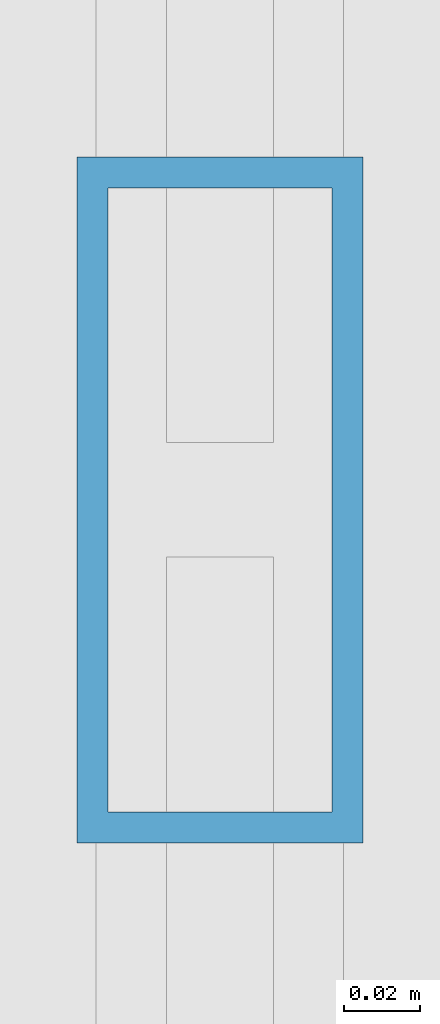
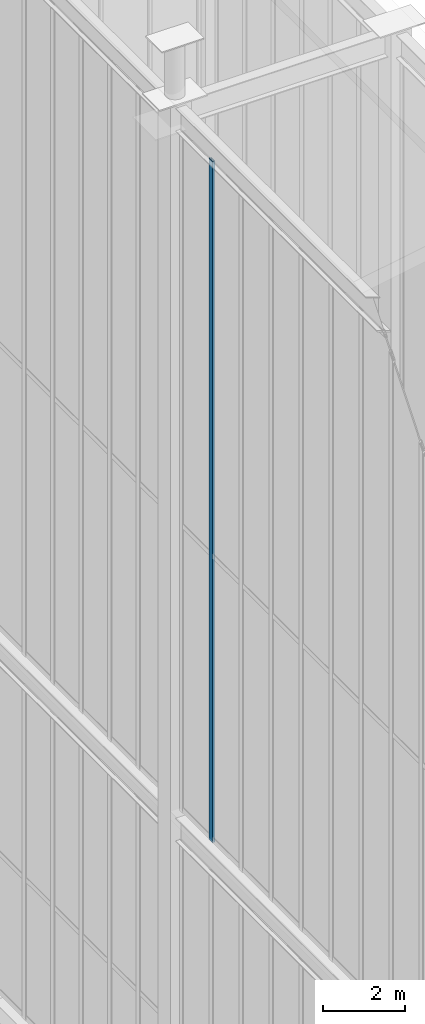
# One storey, part 75 of 135: 1 member, 1 element without a shape of its own.
"""IFC4 building model written with IfcOpenShell, lengths in metres."""

from ifc_helpers import new_model, si_unit, direction, frame, origin, origin_2d, place, context, subcontext, project, spatial, hollow_rectangle, extrude, source, transform, mapped, material, layer, layer_set, material_profile, profile_set, type_object, element, aggregate, save


model = new_model("IFC4")

# Units and contexts
model_context = context("Model", 3, precision=1e-05, world=origin(), true_north=direction((0.0, 1.0)))
body_context = subcontext(model_context, "Body", "Model", "MODEL_VIEW")
ifc_project = project(units=[si_unit("LENGTHUNIT", "METRE"), si_unit("AREAUNIT", "SQUARE_METRE"), si_unit("VOLUMEUNIT", "CUBIC_METRE"), si_unit("PLANEANGLEUNIT", "RADIAN"), si_unit("MASSUNIT", "GRAM", prefix="KILO")], contexts=[model_context])

# Site, building, storey
site_placement = place(None, origin())
site = spatial("IfcSite", under=ifc_project, at=site_placement, CompositionType="ELEMENT")
building_placement = place(site_placement, origin())
building = spatial("IfcBuilding", under=site, at=building_placement, Name="Giltprow Tower", CompositionType="ELEMENT")
storey_placement = place(building_placement, frame((0.0, 0.0, 352.699951171875)))
storey = spatial("IfcBuildingStorey", under=building, at=storey_placement, Name="L92", CompositionType="ELEMENT", Elevation=352.699951171875)

# Curtain wall, member
ifc_material = material(Name="Anodized bronze", Category="metal")
ifc_layer = layer(ifc_material, 0.179931640625, Name="Anodized bronze")
ifc_layer_set = layer_set([ifc_layer], Name="Anodized bronze")
curtain_wall_type = type_object("IfcCurtainWallType", Name="CW-CROWN-LANTERN", PredefinedType="NOTDEFINED", material=ifc_layer_set)
curtain_wall_placement = place(storey_placement, origin())
curtain_wall = element("IfcCurtainWall", 1, at=curtain_wall_placement, inside=storey, type_object=curtain_wall_type, Name="Crown East Upper Lantern Glazing 6", PredefinedType="NOTDEFINED")
ifc_material_profile = material_profile(ifc_material, hollow_rectangle(XDim=0.074951171875, YDim=0.179931640625, WallThickness=0.008056640625, at=origin_2d()), Name="RHS 180x75x8")
ifc_profile_set = profile_set([ifc_material_profile], Name="Anodized bronze")
member_type = type_object("IfcMemberType", Name="CW-MULLION-180x75", PredefinedType="MULLION", material=ifc_profile_set)
shared_shape = source(origin(), body_context, "Body", "SweptSolid", [
    extrude(hollow_rectangle(XDim=0.074951171875, YDim=0.179931640625, WallThickness=0.008056640625, at=origin_2d()), origin(), (0.0, 0.0, 1.0), 20.406005859375),
])
member_placement = place(storey_placement, frame((44.300048828125, 35.6279296875, 17.25), z_axis=(0.0, 0.0, 1.0), x_axis=(1.0, 0.0, 0.0)))
member = element("IfcMember", 2, at=member_placement, type_object=member_type, Name="Crown East Upper Lantern Glazing 6 Mullion 2", PredefinedType="MULLION", context=body_context, shape_type="MappedRepresentation", body=[
    mapped(shared_shape, transform((0.0, 0.0, 0.0), x_axis=(1.0, 0.0, 0.0), y_axis=(0.0, 1.0, 0.0), z_axis=(0.0, 0.0, 1.0), scale=1.0)),
])
aggregate(curtain_wall, [member])

save(model, "model.ifc")
